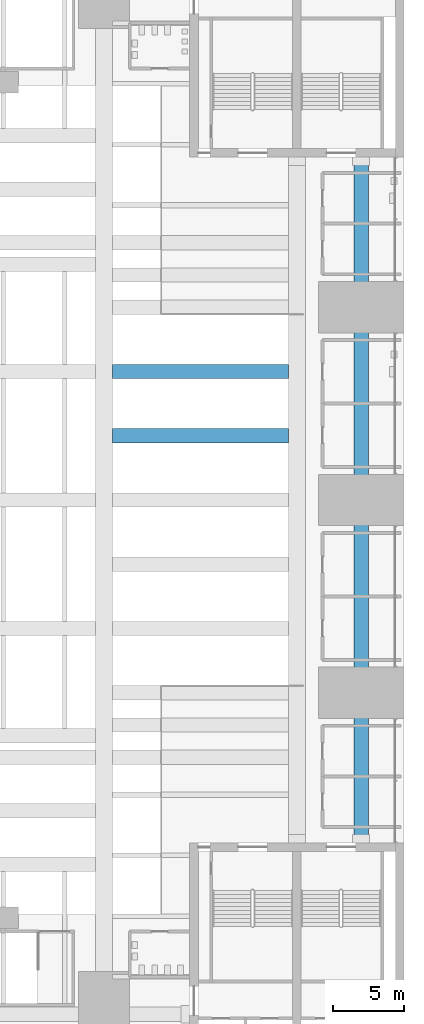
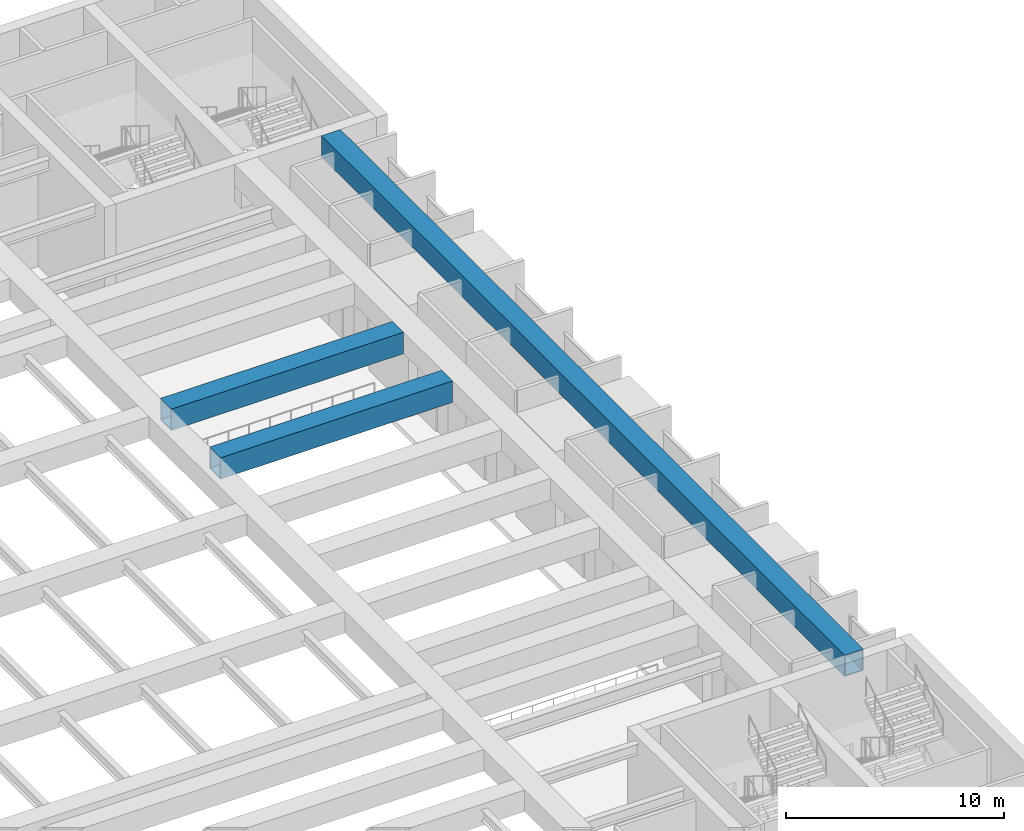
# One storey, part 17 of 45: 3 members.
"""IFC4 building model written with IfcOpenShell, lengths in metres."""

import ifcopenshell
import ifcopenshell.guid

model = None  # the IFC model being written
_history = None  # IfcOwnerHistory: only IFC2X3 demands one
_inside = {}  # id of a spatial element -> (the spatial element, [elements in it])
_under = {}  # id of a project, library or spatial element -> (it, [spatial elements below it])
_declared = {}  # id of a project -> (the project, [libraries it declares])
_typed = {}  # id of a type object -> (the type object, [elements of that type])
_made_of = {}  # id of a material, layer set ... -> (it, [elements and type objects made of it])


def new_model(schema):
    """Start an empty IFC model of exactly this schema.

    Asked for "IFC4X3", IfcOpenShell would pick the latest addendum, in which some entities
    have other attributes; the version numbers below select the first issue.
    IFC2X3 requires an IfcOwnerHistory on every rooted entity: one is made here for all.
    """
    global model, _history
    if schema == "IFC4X3":
        model = ifcopenshell.file(schema_version=(4, 3, 0, 0))
    else:
        model = ifcopenshell.file(schema=schema)
    _inside.clear()
    _under.clear()
    _declared.clear()
    _typed.clear()
    _made_of.clear()
    _history = None
    if model.schema == "IFC2X3":
        org = make("IfcOrganization", Name="unknown")
        user = make(
            "IfcPersonAndOrganization",
            ThePerson=make("IfcPerson", FamilyName="unknown"),
            TheOrganization=org,
        )
        app = make(
            "IfcApplication",
            ApplicationDeveloper=org,
            Version="unknown",
            ApplicationFullName="unknown",
            ApplicationIdentifier="unknown",
        )
        _history = make(
            "IfcOwnerHistory",
            OwningUser=user,
            OwningApplication=app,
            ChangeAction="ADDED",
            CreationDate=0,
        )
    return model


def make(cls, **values):
    """One entity of the class cls with the attributes given. An attribute that is None is left unset."""
    return model.create_entity(
        cls, **{name: value for name, value in values.items() if value is not None}
    )


def rooted(cls, **values):
    """An entity with a GlobalId (a new one), such as an element, a storey or a relation."""
    return make(cls, GlobalId=ifcopenshell.guid.new(), OwnerHistory=_history, **values)


def si_unit(unit_type, name, prefix=None):
    """IfcSIUnit, for example si_unit("LENGTHUNIT", "METRE", prefix="MILLI")."""
    return make("IfcSIUnit", UnitType=unit_type, Prefix=prefix, Name=name)


def assignment(units):
    """IfcUnitAssignment: the units of a project."""
    return None if units is None else make("IfcUnitAssignment", Units=units)


def point(xyz):
    """IfcCartesianPoint."""
    return None if xyz is None else make("IfcCartesianPoint", Coordinates=xyz)


def direction(xyz):
    """IfcDirection."""
    return None if xyz is None else make("IfcDirection", DirectionRatios=xyz)


def frame(location, z_axis=None, x_axis=None):
    """IfcAxis2Placement3D, a coordinate frame: its origin and axes. An axis left out is left unset."""
    return make(
        "IfcAxis2Placement3D",
        Location=point(location),
        Axis=direction(z_axis),
        RefDirection=direction(x_axis),
    )


def frame_2d(location, x_axis=None):
    """IfcAxis2Placement2D, a coordinate frame in the plane: its origin and x axis."""
    return make(
        "IfcAxis2Placement2D", Location=point(location), RefDirection=direction(x_axis)
    )


def origin():
    """The frame at (0, 0, 0) with its axes left unset."""
    return frame((0.0, 0.0, 0.0))


def origin_2d():
    """The frame at (0, 0) in the plane with its x axis left unset."""
    return frame_2d((0.0, 0.0))


def place(relative_to, where):
    """IfcLocalPlacement: puts the frame where relative to a parent placement (None: the world)."""
    return make(
        "IfcLocalPlacement", PlacementRelTo=relative_to, RelativePlacement=where
    )


def context(
    kind, dimensions, precision=None, world=None, true_north=None, identifier=None
):
    """IfcGeometricRepresentationContext, for example the 3D "Model" context."""
    return make(
        "IfcGeometricRepresentationContext",
        ContextIdentifier=identifier,
        ContextType=kind,
        CoordinateSpaceDimension=dimensions,
        Precision=precision,
        WorldCoordinateSystem=world,
        TrueNorth=true_north,
    )


def subcontext(parent, identifier, kind, view, scale=None):
    """IfcGeometricRepresentationSubContext, for example "Body" below "Model"."""
    return make(
        "IfcGeometricRepresentationSubContext",
        ContextIdentifier=identifier,
        ContextType=kind,
        ParentContext=parent,
        TargetScale=scale,
        TargetView=view,
    )


def project(units=None, contexts=None):
    """IfcProject with its units and contexts."""
    return rooted(
        "IfcProject",
        Name="project",
        RepresentationContexts=contexts,
        UnitsInContext=assignment(units),
    )


def spatial(cls, under=None, at=None, **own):
    """A site, building, storey or space (cls), placed at a placement, below another one or the project."""
    s = rooted(cls, ObjectPlacement=at, **own)
    if under is not None:
        _under.setdefault(under.id(), (under, []))[1].append(s)
    return s


def profile(cls, at=None, kind="AREA", **sizes):
    """A parametric profile (cls). Its sizes go by their IFC names, for example OverallWidth=200.0."""
    return make(cls, ProfileType=kind, Position=at, **sizes)


def hollow_rectangle(**sizes):
    """IfcRectangleHollowProfileDef."""
    return profile("IfcRectangleHollowProfileDef", **sizes)


def extrude(swept, where, along, depth):
    """IfcExtrudedAreaSolid: the profile swept, set in the frame where, extruded along a direction by depth."""
    return make(
        "IfcExtrudedAreaSolid",
        SweptArea=swept,
        Position=where,
        ExtrudedDirection=direction(along),
        Depth=depth,
    )


def shape(context_of_items, identifier, shape_type, items):
    """IfcShapeRepresentation: the items that make up one representation, for example the "Body"."""
    return make(
        "IfcShapeRepresentation",
        ContextOfItems=context_of_items,
        RepresentationIdentifier=identifier,
        RepresentationType=shape_type,
        Items=items,
    )


def material(Name=None, Category=None):
    """IfcMaterial."""
    return make("IfcMaterial", Name=Name, Category=Category)


def material_profile(
    of_material, cross_section, Name=None, Category=None, Priority=None
):
    """IfcMaterialProfile: a cross section and its material."""
    return make(
        "IfcMaterialProfile",
        Name=Name,
        Material=of_material,
        Profile=cross_section,
        Priority=Priority,
        Category=Category,
    )


def profile_set(profiles, Name=None, composite=None):
    """IfcMaterialProfileSet."""
    return make(
        "IfcMaterialProfileSet",
        Name=Name,
        MaterialProfiles=profiles,
        CompositeProfile=composite,
    )


def made_of(thing, what):
    """Note that an element or type object is made of a material, layer set ...; save() writes the relation."""
    if what is not None:
        _made_of.setdefault(what.id(), (what, []))[1].append(thing)
    return thing


def type_object(cls, material=None, **own):
    """A type object (cls), such as IfcWallType, which elements share."""
    return made_of(rooted(cls, **own), material)


def element(
    cls,
    number,
    at=None,
    inside=None,
    cuts=None,
    type_object=None,
    material=None,
    context=None,
    identifier="Body",
    shape_type=None,
    held_by="IfcProductDefinitionShape",
    body=None,
    shapes=None,
    **own,
):
    """One element of the class cls, such as IfcWall. Its Tag is "e" and its number.

    at: its placement. inside: the storey or other place that contains it. cuts: it is an
    opening in that element (IfcRelVoidsElement). A single representation is given by context,
    identifier, shape_type and body (its items); several are given by shapes. held_by: the class
    of the entity that holds the representations. save() writes the other relations.
    """
    e = rooted(cls, Tag="e%d" % number, ObjectPlacement=at, **own)
    if body is not None:
        shapes = [shape(context, identifier, shape_type, body)]
    if shapes is not None:
        e.Representation = make(held_by, Representations=shapes)
    if inside is not None:
        _inside.setdefault(inside.id(), (inside, []))[1].append(e)
    if cuts is not None:
        rooted(
            "IfcRelVoidsElement", RelatingBuildingElement=cuts, RelatedOpeningElement=e
        )
    if type_object is not None:
        _typed.setdefault(type_object.id(), (type_object, []))[1].append(e)
    return made_of(e, material)


def aggregate(whole, parts):
    """IfcRelAggregates: a whole, such as a stair, and the parts it consists of."""
    return rooted("IfcRelAggregates", RelatingObject=whole, RelatedObjects=parts)


def save(model, path):
    """Write the relations noted so far, then the file.

    IfcRelAggregates (storeys below a building ...), IfcRelContainedInSpatialStructure (elements
    in a storey), IfcRelDefinesByType, IfcRelAssociatesMaterial and IfcRelDeclares: one each for
    every whole, place, type object, material and project.
    """
    for whole, parts in _under.values():
        aggregate(whole, parts)
    for where, things in _inside.values():
        rooted(
            "IfcRelContainedInSpatialStructure",
            RelatedElements=things,
            RelatingStructure=where,
        )
    for kind, things in _typed.values():
        rooted("IfcRelDefinesByType", RelatedObjects=things, RelatingType=kind)
    for what, things in _made_of.values():
        rooted("IfcRelAssociatesMaterial", RelatedObjects=things, RelatingMaterial=what)
    for by, libraries in _declared.values():
        rooted("IfcRelDeclares", RelatingContext=by, RelatedDefinitions=libraries)
    model.write(path)


model = new_model("IFC4")

# Units and contexts
model_context = context("Model", 3, precision=1e-05, world=origin(), true_north=direction((0.0, 1.0)))
body_context = subcontext(model_context, "Body", "Model", "MODEL_VIEW")
ifc_project = project(units=[si_unit("LENGTHUNIT", "METRE"), si_unit("AREAUNIT", "SQUARE_METRE"), si_unit("VOLUMEUNIT", "CUBIC_METRE"), si_unit("PLANEANGLEUNIT", "RADIAN"), si_unit("MASSUNIT", "GRAM", prefix="KILO")], contexts=[model_context])

# Site, building, storey
site_placement = place(None, origin())
site = spatial("IfcSite", under=ifc_project, at=site_placement, CompositionType="ELEMENT")
building_placement = place(site_placement, origin())
building = spatial("IfcBuilding", under=site, at=building_placement, Name="Corbelhall Arena Tower", CompositionType="ELEMENT")
storey_placement = place(building_placement, frame((0.0, 0.0, 37.0)))
storey = spatial("IfcBuildingStorey", under=building, at=storey_placement, Name="L05", CompositionType="ELEMENT", Elevation=37.0)

# Members
ifc_material = material(Name="Steel ASTM A572 Gr50", Category="steel")
ifc_material_profile = material_profile(ifc_material, hollow_rectangle(XDim=1.0, YDim=1.199951171875, WallThickness=0.06005859375, at=origin_2d()))
ifc_profile_set = profile_set([ifc_material_profile], Name="Steel ASTM A572 Gr50")
member_type = type_object("IfcMemberType", Name="PO-CHORD-1200X1000X60", PredefinedType="CHORD", material=ifc_profile_set)
member_placement = place(storey_placement, frame((45.0, -24.0, 6.39990234375), z_axis=(0.0, 1.0, 0.0), x_axis=(-1.0, 0.0, 0.0)))
element("IfcMember", 1, at=member_placement, inside=storey, type_object=member_type, Name="TRUSS EDGE-E BOT CHORD", PredefinedType="CHORD", context=body_context, shape_type="SweptSolid", body=[
    extrude(hollow_rectangle(XDim=1.0, YDim=1.199951171875, WallThickness=0.06005859375, at=origin_2d()), origin(), (0.0, 0.0, 1.0), 48.0),
])
for number, where, z_axis, x_axis, name in (
    (2, (27.60009765625, 4.5, 6.39990234375), (1.0, 0.0, 0.0), (0.0, 1.0, 0.0), "TRUSS SEC-N04.50-3 BOT CHORD"),
    (3, (27.60009765625, 9.0, 6.39990234375), (1.0, 0.0, 0.0), (0.0, 1.0, 0.0), "TRUSS SEC-N09.00-3 BOT CHORD"),
):
    element("IfcMember", number, at=place(storey_placement, frame(where, z_axis=z_axis, x_axis=x_axis)), inside=storey, type_object=member_type, Name=name, PredefinedType="CHORD", context=body_context, shape_type="SweptSolid", body=[
        extrude(hollow_rectangle(XDim=1.0, YDim=1.199951171875, WallThickness=0.06005859375, at=origin_2d()), origin(), (0.0, 0.0, 1.0), 12.2998046875),
    ])

save(model, "model.ifc")
